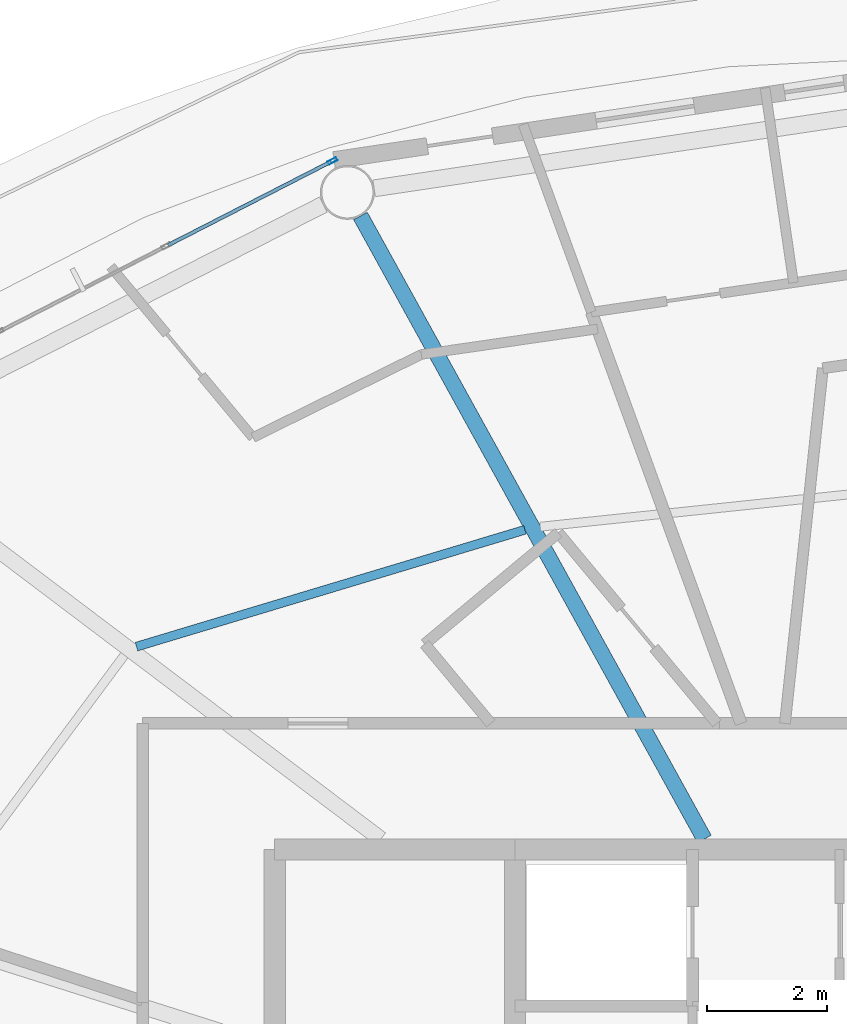
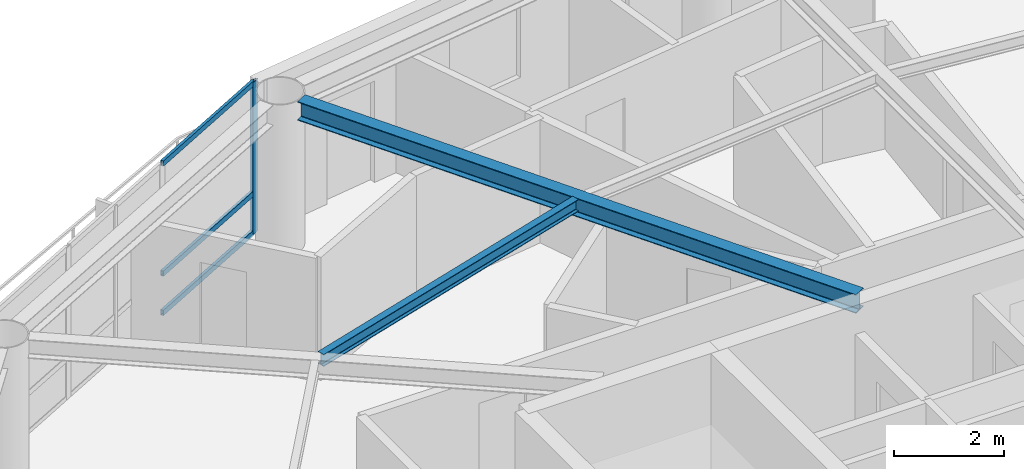
# One storey, part 9 of 22: 4 members, 2 beams, 1 element without a shape of its own.
"""IFC4 building model written with IfcOpenShell, lengths in metres."""

from ifc_helpers import new_model, si_unit, direction, frame, origin, origin_2d, place, context, subcontext, project, spatial, hollow_rectangle, i_section, extrude, material, layer, layer_set, material_profile, profile_set, type_object, element, aggregate, save


model = new_model("IFC4")

# Units and contexts
model_context = context("Model", 3, precision=1e-05, world=origin(), true_north=direction((0.0, 1.0)))
body_context = subcontext(model_context, "Body", "Model", "MODEL_VIEW")
ifc_project = project(units=[si_unit("LENGTHUNIT", "METRE"), si_unit("AREAUNIT", "SQUARE_METRE"), si_unit("VOLUMEUNIT", "CUBIC_METRE"), si_unit("PLANEANGLEUNIT", "RADIAN"), si_unit("MASSUNIT", "GRAM", prefix="KILO")], contexts=[model_context])

# Site, building, storey
site_placement = place(None, origin())
site = spatial("IfcSite", under=ifc_project, at=site_placement, CompositionType="ELEMENT")
building_placement = place(site_placement, origin())
building = spatial("IfcBuilding", under=site, at=building_placement, Name="Sarneth Arch Tower", CompositionType="ELEMENT")
storey_placement = place(building_placement, frame((0.0, 0.0, 294.60009765625)))
storey = spatial("IfcBuildingStorey", under=building, at=storey_placement, Name="L76", CompositionType="ELEMENT", Elevation=294.60009765625)

# Beams
ifc_material_1 = material(Name="Steel S355", Category="steel")
ifc_material_profile_1 = material_profile(ifc_material_1, i_section(OverallWidth=0.14794921875, OverallDepth=0.26611328125, WebThickness=0.007568359375, FlangeThickness=0.012939453125, FilletRadius=0.012939453125, at=origin_2d()), Name="W250x44.8")
ifc_profile_set_1 = profile_set([ifc_material_profile_1], Name="Steel S355")
beam_type_1 = type_object("IfcBeamType", Name="BM-JOIST-250", PredefinedType="JOIST", material=ifc_profile_set_1)
beam_1_placement = place(storey_placement, frame((41.163818359375, 54.122314453125, 3.23681640625), z_axis=(-0.95760703602, -0.288077705776, 0.0), x_axis=(0.288077705776, -0.95760703602, 0.0)))
element("IfcBeam", 1, at=beam_1_placement, inside=storey, type_object=beam_type_1, Name="L76 Secondary floor joist 06", PredefinedType="JOIST", context=body_context, shape_type="SweptSolid", body=[
    extrude(i_section(OverallWidth=0.14794921875, OverallDepth=0.26611328125, WebThickness=0.007568359375, FlangeThickness=0.012939453125, FilletRadius=0.012939453125, at=origin_2d()), origin(), (0.0, 0.0, 1.0), 6.7509765625),
])
ifc_material_2 = material(Name="Steel S355", Category="steel")
ifc_material_profile_2 = material_profile(ifc_material_2, i_section(OverallWidth=0.260009765625, OverallDepth=0.4150390625, WebThickness=0.010009765625, FlangeThickness=0.016845703125, FilletRadius=0.01611328125, at=origin_2d()), Name="W410x100")
ifc_profile_set_2 = profile_set([ifc_material_profile_2], Name="Steel S355")
beam_type_2 = type_object("IfcBeamType", Name="BM-RAD-410A", PredefinedType="BEAM", material=ifc_profile_set_2)
beam_2_placement = place(storey_placement, frame((44.150146484375, 48.97509765625, 3.162353515625), z_axis=(-0.483229367873, 0.875493790969, 0.0), x_axis=(-0.875493790969, -0.483229367873, 0.0)))
element("IfcBeam", 2, at=beam_2_placement, inside=storey, type_object=beam_type_2, Name="L76 Radial floor girder 06", PredefinedType="BEAM", context=body_context, shape_type="SweptSolid", body=[
    extrude(i_section(OverallWidth=0.260009765625, OverallDepth=0.4150390625, WebThickness=0.010009765625, FlangeThickness=0.016845703125, FilletRadius=0.01611328125, at=origin_2d()), origin(), (0.0, 0.0, 1.0), 11.843994140625),
])

# Curtain wall, members
ifc_material_3 = material(Name="Anodised aluminium Type AA25 and solar-control low-e laminated IGU", Category="aluminium")
ifc_layer = layer(ifc_material_3, 0.179931640625)
ifc_layer_set = layer_set([ifc_layer], Name="Anodised aluminium Type AA25 and solar-control low-e laminated IGU")
curtain_wall_type = type_object("IfcCurtainWallType", Name="CW-RES-HIGH", PredefinedType="NOTDEFINED", material=ifc_layer_set)
curtain_wall_placement = place(storey_placement, origin())
curtain_wall = element("IfcCurtainWall", 3, at=curtain_wall_placement, inside=storey, type_object=curtain_wall_type, Name="L76 Unitised curtain wall facet 06", PredefinedType="NOTDEFINED")
ifc_material_4 = material(Name="Anodised Aluminium 6063-T6", Category="aluminium")
ifc_material_profile_3 = material_profile(ifc_material_4, hollow_rectangle(XDim=0.06005859375, YDim=0.159912109375, WallThickness=0.00390625, at=origin_2d()), Name="AL-MULL-160x60x4")
ifc_profile_set_3 = profile_set([ifc_material_profile_3], Name="Anodised Aluminium 6063-T6")
member_type_1 = type_object("IfcMemberType", Name="CW-MULLION", PredefinedType="MULLION", material=ifc_profile_set_3)
member_1_placement = place(storey_placement, frame((37.960693359375, 60.2607421875, 0.0), z_axis=(0.0, 0.0, 1.0), x_axis=(0.455941901753, -0.890009540525, 0.0)))
member_1 = element("IfcMember", 4, at=member_1_placement, type_object=member_type_1, Name="CW-SYS-6 mullion 1", PredefinedType="MULLION", context=body_context, shape_type="SweptSolid", body=[
    extrude(hollow_rectangle(XDim=0.06005859375, YDim=0.159912109375, WallThickness=0.00390625, at=origin_2d()), origin(), (0.0, 0.0, 1.0), 3.369873046875),
])
ifc_material_5 = material(Name="Anodised Aluminium 6063-T6", Category="aluminium")
ifc_material_profile_4 = material_profile(ifc_material_5, hollow_rectangle(XDim=0.06005859375, YDim=0.1201171875, WallThickness=0.00390625, at=origin_2d()), Name="AL-TRAN-120x60x4")
ifc_profile_set_4 = profile_set([ifc_material_profile_4], Name="Anodised Aluminium 6063-T6")
member_type_2 = type_object("IfcMemberType", Name="CW-TRANSOM", PredefinedType="USERDEFINED", material=ifc_profile_set_4)
member_2_placement = place(storey_placement, frame((37.933837890625, 60.2470703125, 0.02978515625), z_axis=(-0.889973523166, -0.456012201662, 0.0), x_axis=(0.456012201662, -0.889973523166, 0.0)))
member_2 = element("IfcMember", 5, at=member_2_placement, type_object=member_type_2, Name="CW-SYS-6 transom 1.1", ObjectType="TRANSOM", PredefinedType="USERDEFINED", context=body_context, shape_type="SweptSolid", body=[
    extrude(hollow_rectangle(XDim=0.06005859375, YDim=0.1201171875, WallThickness=0.00390625, at=origin_2d()), origin(), (0.0, 0.0, 1.0), 3.044677734375),
])
member_3_placement = place(storey_placement, frame((37.933837890625, 60.2470703125, 0.89990234375), z_axis=(-0.889973523166, -0.456012201662, 0.0), x_axis=(0.456012201662, -0.889973523166, 0.0)))
member_3 = element("IfcMember", 6, at=member_3_placement, type_object=member_type_2, Name="CW-SYS-6 transom 1.2", ObjectType="TRANSOM", PredefinedType="USERDEFINED", context=body_context, shape_type="SweptSolid", body=[
    extrude(hollow_rectangle(XDim=0.06005859375, YDim=0.1201171875, WallThickness=0.00390625, at=origin_2d()), origin(), (0.0, 0.0, 1.0), 3.044677734375),
])
member_4_placement = place(storey_placement, frame((37.933837890625, 60.2470703125, 3.33984375), z_axis=(-0.889973523166, -0.456012201662, 0.0), x_axis=(0.456012201662, -0.889973523166, 0.0)))
member_4 = element("IfcMember", 7, at=member_4_placement, type_object=member_type_2, Name="CW-SYS-6 transom 1.3", ObjectType="TRANSOM", PredefinedType="USERDEFINED", context=body_context, shape_type="SweptSolid", body=[
    extrude(hollow_rectangle(XDim=0.06005859375, YDim=0.1201171875, WallThickness=0.00390625, at=origin_2d()), origin(), (0.0, 0.0, 1.0), 3.044677734375),
])
aggregate(curtain_wall, [member_1, member_2, member_3, member_4])

save(model, "model.ifc")
